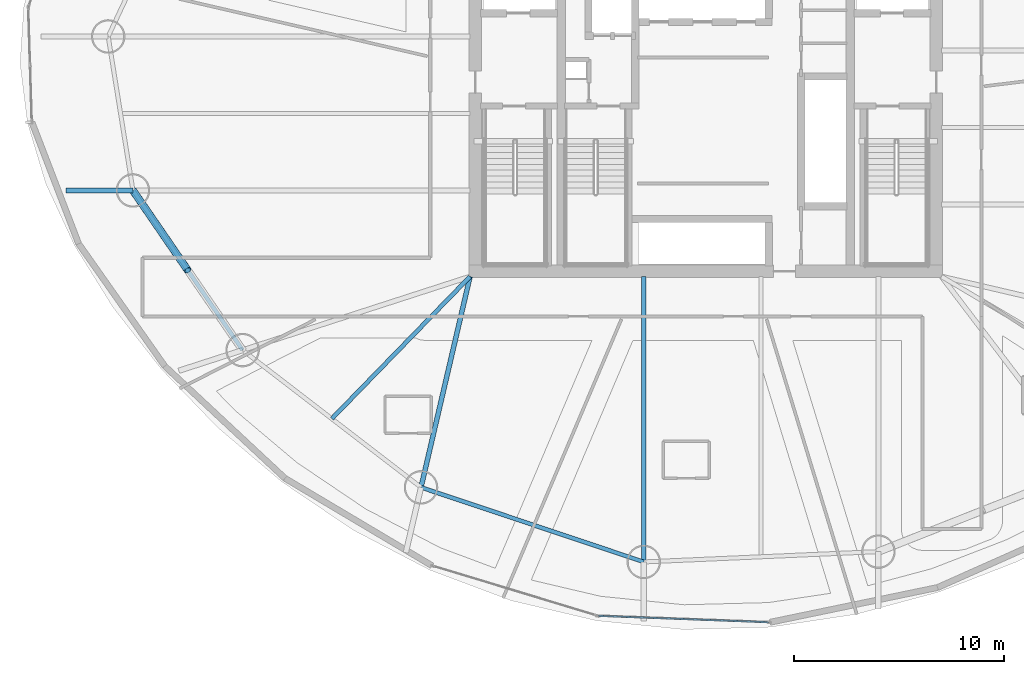
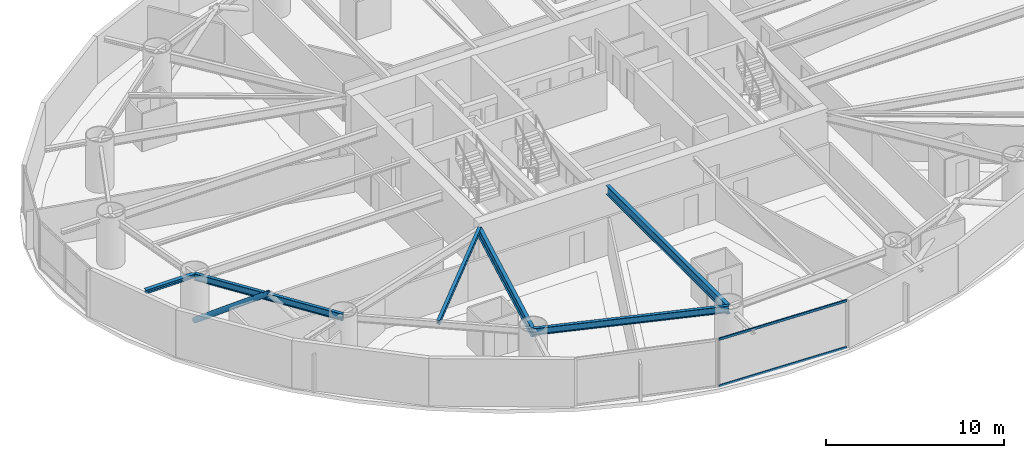
# One storey, part 3 of 27: 6 beams, 3 members, 1 element without a shape of its own.
"""IFC4 building model written with IfcOpenShell, lengths in metres."""

from ifc_helpers import new_model, si_unit, direction, frame, origin, origin_2d, place, context, subcontext, project, spatial, hollow_rectangle, hollow_circle, i_section, extrude, material, layer, layer_set, material_profile, profile_set, type_object, element, aggregate, save


model = new_model("IFC4")

# Units and contexts
model_context = context("Model", 3, precision=1e-05, world=origin(), true_north=direction((0.0, 1.0)))
body_context = subcontext(model_context, "Body", "Model", "MODEL_VIEW")
ifc_project = project(units=[si_unit("LENGTHUNIT", "METRE"), si_unit("AREAUNIT", "SQUARE_METRE"), si_unit("VOLUMEUNIT", "CUBIC_METRE"), si_unit("PLANEANGLEUNIT", "RADIAN"), si_unit("MASSUNIT", "GRAM", prefix="KILO")], contexts=[model_context])

# Site, building, storey
site_placement = place(None, origin())
site = spatial("IfcSite", under=ifc_project, at=site_placement, CompositionType="ELEMENT")
building_placement = place(site_placement, origin())
building = spatial("IfcBuilding", under=site, at=building_placement, Name="Bramvorn Convention Spire", CompositionType="ELEMENT")
storey_placement = place(building_placement, frame((0.0, 0.0, 72.89990234375)))
storey = spatial("IfcBuildingStorey", under=building, at=storey_placement, Name="L16", CompositionType="ELEMENT", Elevation=72.89990234375)

# Beams
ifc_material_1 = material(Name="Steel CSA G40.21 Grade 350 (350W)", Category="steel")
ifc_material_profile_1 = material_profile(ifc_material_1, i_section(OverallWidth=0.201904296875, OverallDepth=0.2470703125, WebThickness=0.00732421875, FlangeThickness=0.010986328125, FilletRadius=0.011962890625, at=origin_2d()))
ifc_profile_set_1 = profile_set([ifc_material_profile_1], Name="Steel CSA G40.21 Grade 350 (350W) - W250X49")
beam_type_1 = type_object("IfcBeamType", Name="BM-W250X49", PredefinedType="JOIST", material=ifc_profile_set_1)
beam_1_placement = place(storey_placement, frame((26.75, 18.550048828125, 3.126708984375), z_axis=(-0.697157225069, -0.716918268378, 0.0), x_axis=(0.716918268378, -0.697157225069, 0.0)))
element("IfcBeam", 1, at=beam_1_placement, inside=storey, type_object=beam_type_1, Name="L16 composite floor joist 11", PredefinedType="JOIST", context=body_context, shape_type="SweptSolid", body=[
    extrude(i_section(OverallWidth=0.201904296875, OverallDepth=0.2470703125, WebThickness=0.00732421875, FlangeThickness=0.010986328125, FilletRadius=0.011962890625, at=origin_2d()), origin(), (0.0, 0.0, 1.0), 9.463623046875),
])
ifc_material_profile_2 = material_profile(ifc_material_1, i_section(OverallWidth=0.25390625, OverallDepth=0.2529296875, WebThickness=0.008544921875, FlangeThickness=0.01416015625, FilletRadius=0.011962890625, at=origin_2d()))
ifc_profile_set_2 = profile_set([ifc_material_profile_2], Name="Steel CSA G40.21 Grade 350 (350W) - W250X73")
beam_type_2 = type_object("IfcBeamType", Name="BM-W250X73", PredefinedType="BEAM", material=ifc_profile_set_2)
beam_2_placement = place(storey_placement, frame((10.661376953125, 22.659912109375, 3.108642578125), z_axis=(-1.0, 0.0, 0.0), x_axis=(0.0, -1.0, 0.0)))
element("IfcBeam", 2, at=beam_2_placement, inside=storey, type_object=beam_type_2, Name="L16 slab-edge cantilever tip beam MC10", PredefinedType="BEAM", context=body_context, shape_type="SweptSolid", body=[
    extrude(i_section(OverallWidth=0.25390625, OverallDepth=0.2529296875, WebThickness=0.008544921875, FlangeThickness=0.01416015625, FilletRadius=0.011962890625, at=origin_2d()), origin(), (0.0, 0.0, 1.0), 3.199951171875),
])
ifc_material_profile_3 = material_profile(ifc_material_1, i_section(OverallWidth=0.194091796875, OverallDepth=0.468994140625, WebThickness=0.0126953125, FlangeThickness=0.0205078125, FilletRadius=0.01806640625, at=origin_2d()))
ifc_profile_set_3 = profile_set([ifc_material_profile_3], Name="Steel CSA G40.21 Grade 350 (350W) - W460X106")
beam_type_3 = type_object("IfcBeamType", Name="BM-W460X106", PredefinedType="SPANDREL", material=ifc_profile_set_3)
beam_3_placement = place(storey_placement, frame((10.661376953125, 22.659912109375, 3.015625), z_axis=(0.566129730789, -0.824316157743, 0.0), x_axis=(0.824316157743, 0.566129730789, 0.0)))
element("IfcBeam", 3, at=beam_3_placement, inside=storey, type_object=beam_type_3, Name="L16 mega-column ring beam 10", PredefinedType="SPANDREL", context=body_context, shape_type="SweptSolid", body=[
    extrude(i_section(OverallWidth=0.194091796875, OverallDepth=0.468994140625, WebThickness=0.0126953125, FlangeThickness=0.0205078125, FilletRadius=0.01806640625, at=origin_2d()), origin(), (0.0, 0.0, 1.0), 9.244140625),
])
beam_4_placement = place(storey_placement, frame((24.40966796875, 8.490966796875, 3.015625), z_axis=(0.948235872727, -0.317566890078, 0.0), x_axis=(0.317566890078, 0.948235872727, 0.0)))
element("IfcBeam", 4, at=beam_4_placement, inside=storey, type_object=beam_type_3, Name="L16 mega-column ring beam 12", PredefinedType="SPANDREL", context=body_context, shape_type="SweptSolid", body=[
    extrude(i_section(OverallWidth=0.194091796875, OverallDepth=0.468994140625, WebThickness=0.0126953125, FlangeThickness=0.0205078125, FilletRadius=0.01806640625, at=origin_2d()), origin(), (0.0, 0.0, 1.0), 11.209716796875),
])
ifc_material_profile_4 = material_profile(ifc_material_1, i_section(OverallWidth=0.22998046875, OverallDepth=0.616943359375, WebThickness=0.01318359375, FlangeThickness=0.022216796875, FilletRadius=0.02001953125, at=origin_2d()))
ifc_profile_set_4 = profile_set([ifc_material_profile_4], Name="Steel CSA G40.21 Grade 350 (350W) - W610X140")
beam_type_4 = type_object("IfcBeamType", Name="BM-W610X140", PredefinedType="BEAM", material=ifc_profile_set_4)
beam_5_placement = place(storey_placement, frame((26.75, 18.550048828125, 2.941650390625), z_axis=(-0.226606328522, -0.973986433106, 0.0), x_axis=(0.973986433106, -0.226606328522, 0.0)))
element("IfcBeam", 5, at=beam_5_placement, inside=storey, type_object=beam_type_4, Name="L16 radial floor girder MC12", PredefinedType="BEAM", context=body_context, shape_type="SweptSolid", body=[
    extrude(i_section(OverallWidth=0.22998046875, OverallDepth=0.616943359375, WebThickness=0.01318359375, FlangeThickness=0.022216796875, FilletRadius=0.02001953125, at=origin_2d()), origin(), (0.0, 0.0, 1.0), 10.32763671875),
])
beam_6_placement = place(storey_placement, frame((35.0390625, 18.550048828125, 2.941650390625), z_axis=(0.0, -1.0, 0.0), x_axis=(1.0, 0.0, 0.0)))
element("IfcBeam", 6, at=beam_6_placement, inside=storey, type_object=beam_type_4, Name="L16 radial floor girder MC13", PredefinedType="BEAM", context=body_context, shape_type="SweptSolid", body=[
    extrude(i_section(OverallWidth=0.22998046875, OverallDepth=0.616943359375, WebThickness=0.01318359375, FlangeThickness=0.022216796875, FilletRadius=0.02001953125, at=origin_2d()), origin(), (0.0, 0.0, 1.0), 13.618896484375),
])

# Curtain wall, members
ifc_material_2 = material(Name="Anodised Bronze Unitised Curtain Wall", Category="aluminium")
ifc_layer = layer(ifc_material_2, 0.179931640625)
ifc_layer_set = layer_set([ifc_layer], Name="Anodised Bronze Unitised Curtain Wall - CW-HTL-FRIT")
curtain_wall_type = type_object("IfcCurtainWallType", Name="CW-HTL-FRIT", PredefinedType="USERDEFINED", material=ifc_layer_set)
curtain_wall_placement = place(storey_placement, origin())
curtain_wall = element("IfcCurtainWall", 7, at=curtain_wall_placement, inside=storey, type_object=curtain_wall_type, Name="L16 fritted glass curtain wall 19", ObjectType="UNITISED CURTAIN WALL", PredefinedType="USERDEFINED")
ifc_material_3 = material(Name="Anodised Bronze Aluminium 6063-T6", Category="aluminium")
ifc_material_profile_5 = material_profile(ifc_material_3, hollow_rectangle(XDim=0.080078125, YDim=0.159912109375, WallThickness=0.00390625, InnerFilletRadius=0.0009765625, OuterFilletRadius=0.00390625, at=origin_2d()))
ifc_profile_set_5 = profile_set([ifc_material_profile_5], Name="Anodised Bronze Aluminium 6063-T6 - CWT80X160")
member_type_1 = type_object("IfcMemberType", Name="CW-TRN-150", PredefinedType="USERDEFINED", material=ifc_profile_set_5)
member_1_placement = place(storey_placement, frame((41.0029296875, 2.05322265625, 0.030029296875), z_axis=(-0.999300511445, 0.037396361117, 0.0), x_axis=(-0.037396361117, -0.999300511445, 0.0)))
member_1 = element("IfcMember", 8, at=member_1_placement, type_object=member_type_1, Name="CW2 transom 1.1", ObjectType="TRANSOM", PredefinedType="USERDEFINED", context=body_context, shape_type="SweptSolid", body=[
    extrude(hollow_rectangle(XDim=0.080078125, YDim=0.159912109375, WallThickness=0.00390625, InnerFilletRadius=0.0009765625, OuterFilletRadius=0.00390625, at=origin_2d()), origin(), (0.0, 0.0, 1.0), 8.121337890625),
])
member_2_placement = place(storey_placement, frame((41.0029296875, 2.05322265625, 3.22021484375), z_axis=(-0.999300511445, 0.037396361117, 0.0), x_axis=(-0.037396361117, -0.999300511445, 0.0)))
member_2 = element("IfcMember", 9, at=member_2_placement, type_object=member_type_1, Name="CW2 transom 1.2", ObjectType="TRANSOM", PredefinedType="USERDEFINED", context=body_context, shape_type="SweptSolid", body=[
    extrude(hollow_rectangle(XDim=0.080078125, YDim=0.159912109375, WallThickness=0.00390625, InnerFilletRadius=0.0009765625, OuterFilletRadius=0.00390625, at=origin_2d()), origin(), (0.0, 0.0, 1.0), 8.121337890625),
])
aggregate(curtain_wall, [member_1, member_2])

# Member
ifc_material_profile_6 = material_profile(ifc_material_1, hollow_circle(Radius=0.177734375, WallThickness=0.015869140625, at=origin_2d()))
ifc_profile_set_6 = profile_set([ifc_material_profile_6], Name="Steel CSA G40.21 Grade 350 (350W) - CHS356X16")
member_type_2 = type_object("IfcMemberType", Name="MBR-CHS356X16", PredefinedType="BRACE", material=ifc_profile_set_6)
member_3_placement = place(storey_placement, frame((10.661376953125, 22.659912109375, 0.0), z_axis=(0.463106048325, -0.674307985647, 0.575188254833), x_axis=(0.824316157743, 0.566129730789, 0.0)))
element("IfcMember", 10, at=member_3_placement, inside=storey, type_object=member_type_2, Name="L16 perimeter Gothic lancet brace 10A", PredefinedType="BRACE", context=body_context, shape_type="SweptSolid", body=[
    extrude(hollow_circle(Radius=0.177734375, WallThickness=0.015869140625, at=origin_2d()), origin(), (0.0, 0.0, 1.0), 5.650390625),
])

save(model, "model.ifc")
